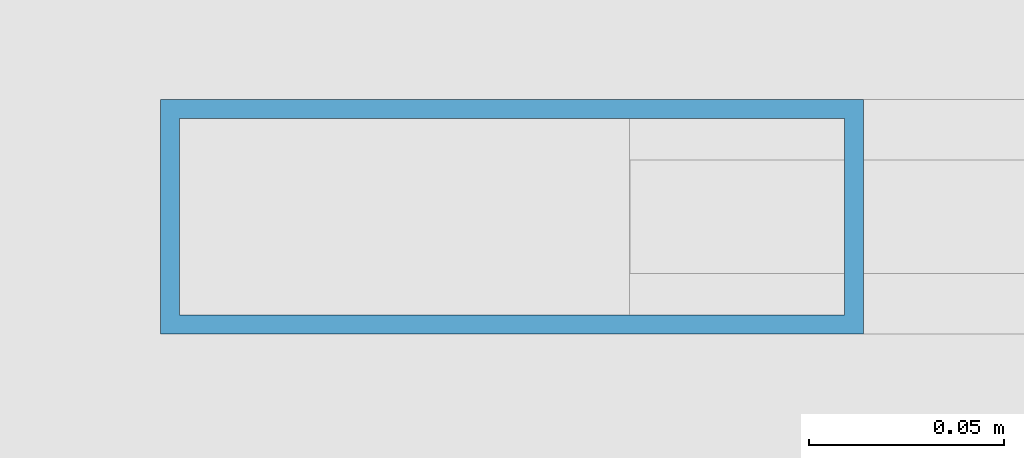
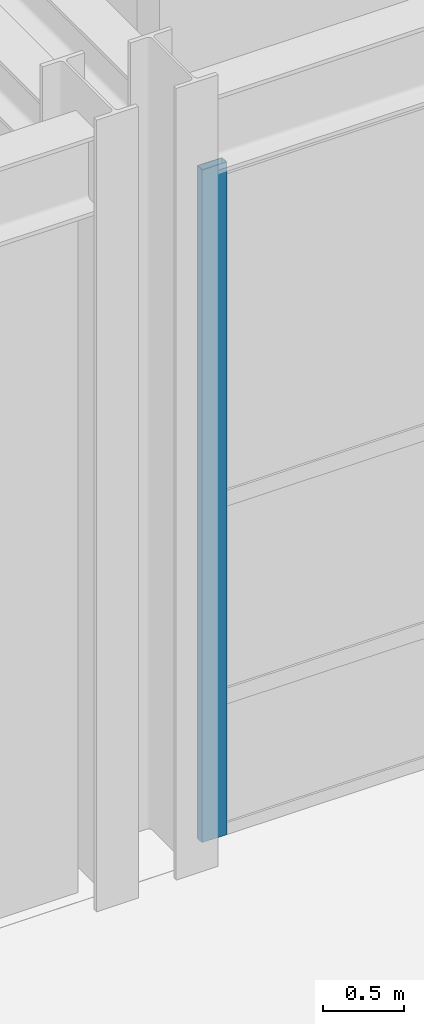
# One storey, part 67 of 146: 1 member, 1 element without a shape of its own.
"""IFC4 building model written with IfcOpenShell, lengths in metres."""

from ifc_helpers import new_model, si_unit, direction, frame, origin, origin_2d, place, context, subcontext, project, spatial, hollow_rectangle, extrude, material, material_profile, profile_set, type_object, element, aggregate, save


model = new_model("IFC4")

# Units and contexts
model_context = context("Model", 3, precision=1e-05, world=origin(), true_north=direction((0.0, 1.0)))
body_context = subcontext(model_context, "Body", "Model", "MODEL_VIEW")
ifc_project = project(units=[si_unit("LENGTHUNIT", "METRE"), si_unit("AREAUNIT", "SQUARE_METRE"), si_unit("VOLUMEUNIT", "CUBIC_METRE"), si_unit("PLANEANGLEUNIT", "RADIAN"), si_unit("MASSUNIT", "GRAM", prefix="KILO")], contexts=[model_context])

# Site, building, storey
site_placement = place(None, origin())
site = spatial("IfcSite", under=ifc_project, at=site_placement, CompositionType="ELEMENT")
building_placement = place(site_placement, origin())
building = spatial("IfcBuilding", under=site, at=building_placement, Name="Kaldris Quays Convention Centre", CompositionType="ELEMENT")
storey_placement = place(building_placement, origin())
storey = spatial("IfcBuildingStorey", under=building, at=storey_placement, Name="L00", CompositionType="ELEMENT", Elevation=0.0)

# Curtain wall, member
ifc_material_1 = material(Name="Anodized aluminium AW-6060 and triple glazing", Category="aluminium")
curtain_wall_type = type_object("IfcCurtainWallType", Name="UNITISED CURTAIN WALL CW05", PredefinedType="NOTDEFINED", material=ifc_material_1)
curtain_wall_placement = place(storey_placement, origin())
curtain_wall = element("IfcCurtainWall", 1, at=curtain_wall_placement, inside=storey, type_object=curtain_wall_type, Name="L00 Unitised Curtain Wall CW05 137", PredefinedType="NOTDEFINED")
ifc_material_2 = material(Name="Anodized aluminium AW-6060", Category="aluminium")
ifc_material_profile = material_profile(ifc_material_2, hollow_rectangle(XDim=0.06005859375, YDim=0.179931640625, WallThickness=0.0048828125, at=origin_2d()), Name="RHS 180x60x5")
ifc_profile_set = profile_set([ifc_material_profile], Name="Anodized aluminium AW-6060")
member_type = type_object("IfcMemberType", Name="CURTAIN MULLION CWM2", PredefinedType="MULLION", material=ifc_profile_set)
member_placement = place(storey_placement, frame((146.8798828125, 38.0, 0.0), z_axis=(0.0, 0.0, 1.0), x_axis=(0.0, 1.0, 0.0)))
member = element("IfcMember", 2, at=member_placement, type_object=member_type, Name="CW05 mullion 1", PredefinedType="MULLION", context=body_context, shape_type="SweptSolid", body=[
    extrude(hollow_rectangle(XDim=0.06005859375, YDim=0.179931640625, WallThickness=0.0048828125, at=origin_2d()), origin(), (0.0, 0.0, 1.0), 5.097900390625),
])
aggregate(curtain_wall, [member])

save(model, "model.ifc")
